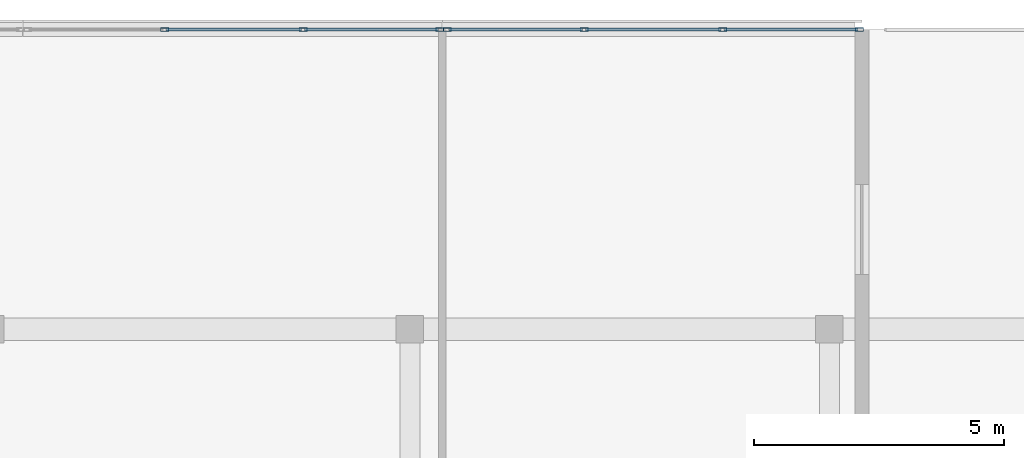
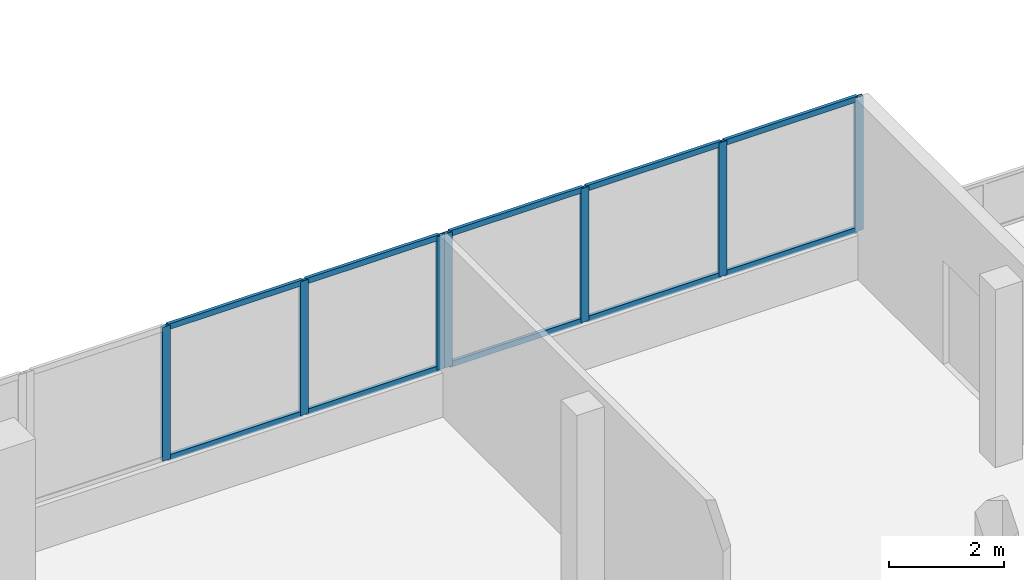
# One storey, part 49 of 66: 17 members, 2 elements without a shape of their own.
"""IFC4 building model written with IfcOpenShell, lengths in metres."""

from ifc_helpers import new_model, si_unit, direction, frame, origin, origin_2d, place, context, subcontext, project, spatial, hollow_rectangle, extrude, material, material_profile, profile_set, type_object, element, aggregate, save


model = new_model("IFC4")

# Units and contexts
model_context = context("Model", 3, precision=1e-05, world=origin(), true_north=direction((0.0, 1.0)))
body_context = subcontext(model_context, "Body", "Model", "MODEL_VIEW")
ifc_project = project(units=[si_unit("LENGTHUNIT", "METRE"), si_unit("AREAUNIT", "SQUARE_METRE"), si_unit("VOLUMEUNIT", "CUBIC_METRE"), si_unit("PLANEANGLEUNIT", "RADIAN"), si_unit("MASSUNIT", "GRAM", prefix="KILO")], contexts=[model_context])

# Site, building, storey
site_placement = place(None, origin())
site = spatial("IfcSite", under=ifc_project, at=site_placement, CompositionType="ELEMENT")
building_placement = place(site_placement, origin())
building = spatial("IfcBuilding", under=site, at=building_placement, Name="Selatvlak General Hospital", CompositionType="ELEMENT")
storey_placement = place(building_placement, frame((0.0, 0.0, 31.35009765625)))
storey = spatial("IfcBuildingStorey", under=building, at=storey_placement, Name="L07", CompositionType="ELEMENT", Elevation=31.35009765625)

# Curtain wall, members
ifc_material_1 = material(Name="Solar-control Low-E double glazing", Category="glass")
curtain_wall_type_1 = type_object("IfcCurtainWallType", Name="CW-CW-02", PredefinedType="USERDEFINED", material=ifc_material_1)
curtain_wall_1_placement = place(storey_placement, origin())
curtain_wall_1 = element("IfcCurtainWall", 1, at=curtain_wall_1_placement, inside=storey, type_object=curtain_wall_type_1, Name="Glazed facade curtain wall CW-L07-0658", ObjectType="UNITISED CURTAIN WALL", PredefinedType="USERDEFINED")
ifc_material_2 = material(Name="Dark anodised aluminium mullion", Category="aluminium")
ifc_material_profile_1 = material_profile(ifc_material_2, hollow_rectangle(XDim=0.06494140625, YDim=0.159912109375, WallThickness=0.00390625, at=origin_2d()), Name="AL-MUL 65x160x4")
ifc_profile_set_1 = profile_set([ifc_material_profile_1], Name="Dark anodised aluminium mullion")
member_type_1 = type_object("IfcMemberType", Name="CWM-01", PredefinedType="MULLION", material=ifc_profile_set_1)
member_1_placement = place(storey_placement, frame((151.637451171875, 120.0, 0.93994140625), z_axis=(0.0, 0.0, 1.0), x_axis=(0.0, 1.0, 0.0)))
member_1 = element("IfcMember", 2, at=member_1_placement, type_object=member_type_1, Name="CW-02 mullion 2", PredefinedType="MULLION", context=body_context, shape_type="SweptSolid", body=[
    extrude(hollow_rectangle(XDim=0.06494140625, YDim=0.159912109375, WallThickness=0.00390625, at=origin_2d()), origin(), (0.0, 0.0, 1.0), 2.844970703125),
])
member_2_placement = place(storey_placement, frame((154.41064453125, 120.0, 0.93994140625), z_axis=(0.0, 0.0, 1.0), x_axis=(0.0, 1.0, 0.0)))
member_2 = element("IfcMember", 3, at=member_2_placement, type_object=member_type_1, Name="CW-02 mullion 3", PredefinedType="MULLION", context=body_context, shape_type="SweptSolid", body=[
    extrude(hollow_rectangle(XDim=0.06494140625, YDim=0.159912109375, WallThickness=0.00390625, at=origin_2d()), origin(), (0.0, 0.0, 1.0), 2.844970703125),
])
member_3_placement = place(storey_placement, frame((157.151611328125, 120.0, 0.93994140625), z_axis=(0.0, 0.0, 1.0), x_axis=(0.0, 1.0, 0.0)))
member_3 = element("IfcMember", 4, at=member_3_placement, type_object=member_type_1, Name="CW-02 mullion 4", PredefinedType="MULLION", context=body_context, shape_type="SweptSolid", body=[
    extrude(hollow_rectangle(XDim=0.06494140625, YDim=0.159912109375, WallThickness=0.00390625, at=origin_2d()), origin(), (0.0, 0.0, 1.0), 2.844970703125),
])

curtain_wall_type_2 = type_object("IfcCurtainWallType", Name="CW-CW-01", PredefinedType="USERDEFINED", material=ifc_material_1)
curtain_wall_2_placement = place(storey_placement, origin())
curtain_wall_2 = element("IfcCurtainWall", 5, at=curtain_wall_2_placement, inside=storey, type_object=curtain_wall_type_2, Name="Glazed facade curtain wall CW-L07-0659", ObjectType="UNITISED CURTAIN WALL", PredefinedType="USERDEFINED")
member_4_placement = place(storey_placement, frame((157.29638671875, 120.0, 0.93994140625), z_axis=(0.0, 0.0, 1.0), x_axis=(0.0, 1.0, 0.0)))
member_4 = element("IfcMember", 6, at=member_4_placement, type_object=member_type_1, Name="CW-01 mullion 1", PredefinedType="MULLION", context=body_context, shape_type="SweptSolid", body=[
    extrude(hollow_rectangle(XDim=0.06494140625, YDim=0.159912109375, WallThickness=0.00390625, at=origin_2d()), origin(), (0.0, 0.0, 1.0), 2.844970703125),
])
member_5_placement = place(storey_placement, frame((160.037353515625, 120.0, 0.93994140625), z_axis=(0.0, 0.0, 1.0), x_axis=(0.0, 1.0, 0.0)))
member_5 = element("IfcMember", 7, at=member_5_placement, type_object=member_type_1, Name="CW-01 mullion 2", PredefinedType="MULLION", context=body_context, shape_type="SweptSolid", body=[
    extrude(hollow_rectangle(XDim=0.06494140625, YDim=0.159912109375, WallThickness=0.00390625, at=origin_2d()), origin(), (0.0, 0.0, 1.0), 2.844970703125),
])
member_6_placement = place(storey_placement, frame((162.810546875, 120.0, 0.93994140625), z_axis=(0.0, 0.0, 1.0), x_axis=(0.0, 1.0, 0.0)))
member_6 = element("IfcMember", 8, at=member_6_placement, type_object=member_type_1, Name="CW-01 mullion 3", PredefinedType="MULLION", context=body_context, shape_type="SweptSolid", body=[
    extrude(hollow_rectangle(XDim=0.06494140625, YDim=0.159912109375, WallThickness=0.00390625, at=origin_2d()), origin(), (0.0, 0.0, 1.0), 2.844970703125),
])
member_7_placement = place(storey_placement, frame((165.551513671875, 120.0, 0.93994140625), z_axis=(0.0, 0.0, 1.0), x_axis=(0.0, 1.0, 0.0)))
member_7 = element("IfcMember", 9, at=member_7_placement, type_object=member_type_1, Name="CW-01 mullion 4", PredefinedType="MULLION", context=body_context, shape_type="SweptSolid", body=[
    extrude(hollow_rectangle(XDim=0.06494140625, YDim=0.159912109375, WallThickness=0.00390625, at=origin_2d()), origin(), (0.0, 0.0, 1.0), 2.844970703125),
])

# Member
ifc_material_profile_2 = material_profile(ifc_material_2, hollow_rectangle(XDim=0.06494140625, YDim=0.1201171875, WallThickness=0.00390625, at=origin_2d()), Name="AL-TRN 65x120x4")
ifc_profile_set_2 = profile_set([ifc_material_profile_2], Name="Dark anodised aluminium mullion")
member_type_2 = type_object("IfcMemberType", Name="CWT-01", PredefinedType="USERDEFINED", material=ifc_profile_set_2)
member_8_placement = place(storey_placement, frame((151.669921875, 120.0, 0.972412109375), z_axis=(1.0, 0.0, 0.0), x_axis=(0.0, 1.0, 0.0)))
member_8 = element("IfcMember", 10, at=member_8_placement, type_object=member_type_2, Name="CW-02 transom 2.1", ObjectType="TRANSOM", PredefinedType="USERDEFINED", context=body_context, shape_type="SweptSolid", body=[
    extrude(hollow_rectangle(XDim=0.06494140625, YDim=0.1201171875, WallThickness=0.00390625, at=origin_2d()), origin(), (0.0, 0.0, 1.0), 2.708251953125),
])

member_9_placement = place(storey_placement, frame((151.669921875, 120.0, 3.75244140625), z_axis=(1.0, 0.0, 0.0), x_axis=(0.0, 1.0, 0.0)))
member_9 = element("IfcMember", 11, at=member_9_placement, type_object=member_type_2, Name="CW-02 transom 2.2", ObjectType="TRANSOM", PredefinedType="USERDEFINED", context=body_context, shape_type="SweptSolid", body=[
    extrude(hollow_rectangle(XDim=0.06494140625, YDim=0.1201171875, WallThickness=0.00390625, at=origin_2d()), origin(), (0.0, 0.0, 1.0), 2.708251953125),
])

member_10_placement = place(storey_placement, frame((154.443115234375, 120.0, 0.972412109375), z_axis=(1.0, 0.0, 0.0), x_axis=(0.0, 1.0, 0.0)))
member_10 = element("IfcMember", 12, at=member_10_placement, type_object=member_type_2, Name="CW-02 transom 3.1", ObjectType="TRANSOM", PredefinedType="USERDEFINED", context=body_context, shape_type="SweptSolid", body=[
    extrude(hollow_rectangle(XDim=0.06494140625, YDim=0.1201171875, WallThickness=0.00390625, at=origin_2d()), origin(), (0.0, 0.0, 1.0), 2.67578125),
])

member_11_placement = place(storey_placement, frame((154.443115234375, 120.0, 3.75244140625), z_axis=(1.0, 0.0, 0.0), x_axis=(0.0, 1.0, 0.0)))
member_11 = element("IfcMember", 13, at=member_11_placement, type_object=member_type_2, Name="CW-02 transom 3.2", ObjectType="TRANSOM", PredefinedType="USERDEFINED", context=body_context, shape_type="SweptSolid", body=[
    extrude(hollow_rectangle(XDim=0.06494140625, YDim=0.1201171875, WallThickness=0.00390625, at=origin_2d()), origin(), (0.0, 0.0, 1.0), 2.67578125),
])

aggregate(curtain_wall_1, [member_1, member_2, member_3, member_8, member_9, member_10, member_11])

member_12_placement = place(storey_placement, frame((157.3291015625, 120.0, 0.972412109375), z_axis=(1.0, 0.0, 0.0), x_axis=(0.0, 1.0, 0.0)))
member_12 = element("IfcMember", 14, at=member_12_placement, type_object=member_type_2, Name="CW-01 transom 1.1", ObjectType="TRANSOM", PredefinedType="USERDEFINED", context=body_context, shape_type="SweptSolid", body=[
    extrude(hollow_rectangle(XDim=0.06494140625, YDim=0.1201171875, WallThickness=0.00390625, at=origin_2d()), origin(), (0.0, 0.0, 1.0), 2.67578125),
])

member_13_placement = place(storey_placement, frame((157.3291015625, 120.0, 3.75244140625), z_axis=(1.0, 0.0, 0.0), x_axis=(0.0, 1.0, 0.0)))
member_13 = element("IfcMember", 15, at=member_13_placement, type_object=member_type_2, Name="CW-01 transom 1.2", ObjectType="TRANSOM", PredefinedType="USERDEFINED", context=body_context, shape_type="SweptSolid", body=[
    extrude(hollow_rectangle(XDim=0.06494140625, YDim=0.1201171875, WallThickness=0.00390625, at=origin_2d()), origin(), (0.0, 0.0, 1.0), 2.67578125),
])

member_14_placement = place(storey_placement, frame((160.06982421875, 120.0, 0.972412109375), z_axis=(1.0, 0.0, 0.0), x_axis=(0.0, 1.0, 0.0)))
member_14 = element("IfcMember", 16, at=member_14_placement, type_object=member_type_2, Name="CW-01 transom 2.1", ObjectType="TRANSOM", PredefinedType="USERDEFINED", context=body_context, shape_type="SweptSolid", body=[
    extrude(hollow_rectangle(XDim=0.06494140625, YDim=0.1201171875, WallThickness=0.00390625, at=origin_2d()), origin(), (0.0, 0.0, 1.0), 2.708251953125),
])

member_15_placement = place(storey_placement, frame((160.06982421875, 120.0, 3.75244140625), z_axis=(1.0, 0.0, 0.0), x_axis=(0.0, 1.0, 0.0)))
member_15 = element("IfcMember", 17, at=member_15_placement, type_object=member_type_2, Name="CW-01 transom 2.2", ObjectType="TRANSOM", PredefinedType="USERDEFINED", context=body_context, shape_type="SweptSolid", body=[
    extrude(hollow_rectangle(XDim=0.06494140625, YDim=0.1201171875, WallThickness=0.00390625, at=origin_2d()), origin(), (0.0, 0.0, 1.0), 2.708251953125),
])

member_16_placement = place(storey_placement, frame((162.84326171875, 120.0, 0.972412109375), z_axis=(1.0, 0.0, 0.0), x_axis=(0.0, 1.0, 0.0)))
member_16 = element("IfcMember", 18, at=member_16_placement, type_object=member_type_2, Name="CW-01 transom 3.1", ObjectType="TRANSOM", PredefinedType="USERDEFINED", context=body_context, shape_type="SweptSolid", body=[
    extrude(hollow_rectangle(XDim=0.06494140625, YDim=0.1201171875, WallThickness=0.00390625, at=origin_2d()), origin(), (0.0, 0.0, 1.0), 2.67578125),
])

member_17_placement = place(storey_placement, frame((162.84326171875, 120.0, 3.75244140625), z_axis=(1.0, 0.0, 0.0), x_axis=(0.0, 1.0, 0.0)))
member_17 = element("IfcMember", 19, at=member_17_placement, type_object=member_type_2, Name="CW-01 transom 3.2", ObjectType="TRANSOM", PredefinedType="USERDEFINED", context=body_context, shape_type="SweptSolid", body=[
    extrude(hollow_rectangle(XDim=0.06494140625, YDim=0.1201171875, WallThickness=0.00390625, at=origin_2d()), origin(), (0.0, 0.0, 1.0), 2.67578125),
])

aggregate(curtain_wall_2, [member_4, member_5, member_6, member_7, member_12, member_13, member_14, member_15, member_16, member_17])

save(model, "model.ifc")
